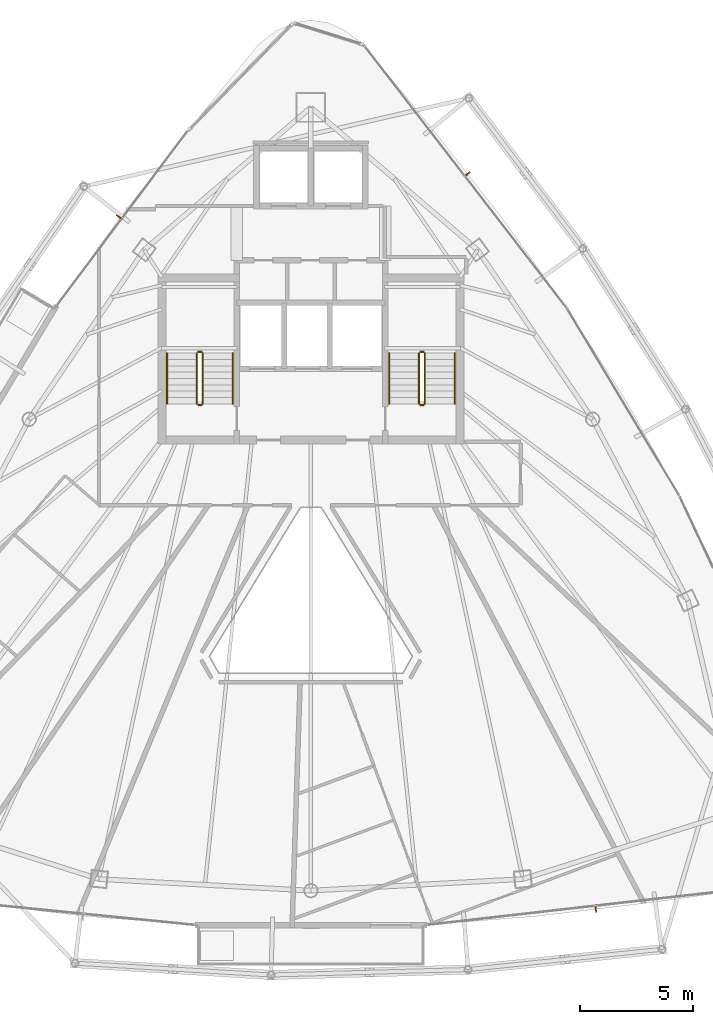
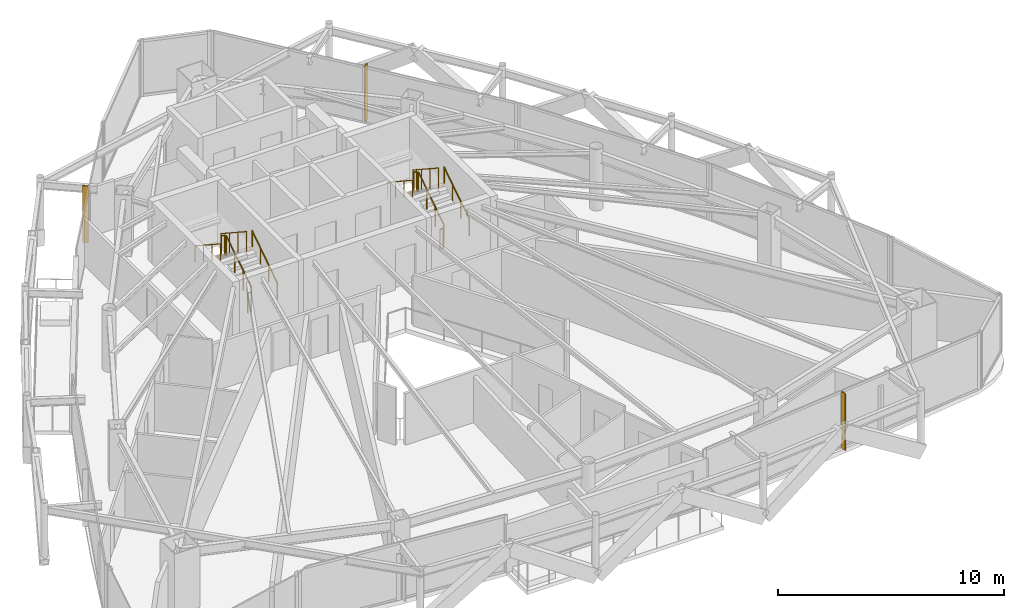
# One storey, part 30 of 30: 12 railings, 3 shading devices.
"""IFC4 building model written with IfcOpenShell, lengths in metres."""

from ifc_helpers import new_model, si_unit, direction, frame, origin, origin_2d, place, context, subcontext, project, spatial, rectangle, circle, extrude, material, layer, layer_set, type_object, element, save


model = new_model("IFC4")

# Units and contexts
model_context = context("Model", 3, precision=1e-05, world=origin(), true_north=direction((0.0, 1.0)))
body_context = subcontext(model_context, "Body", "Model", "MODEL_VIEW")
ifc_project = project(units=[si_unit("LENGTHUNIT", "METRE"), si_unit("AREAUNIT", "SQUARE_METRE"), si_unit("VOLUMEUNIT", "CUBIC_METRE"), si_unit("PLANEANGLEUNIT", "RADIAN"), si_unit("MASSUNIT", "GRAM", prefix="KILO")], contexts=[model_context])

# Site, building, storey
site_placement = place(None, origin())
site = spatial("IfcSite", under=ifc_project, at=site_placement, CompositionType="ELEMENT")
building_placement = place(site_placement, origin())
building = spatial("IfcBuilding", under=site, at=building_placement, Name="Orvanel Arch Residences", CompositionType="ELEMENT")
storey_placement = place(building_placement, frame((0.0, 0.0, 240.35009765625)))
storey = spatial("IfcBuildingStorey", under=building, at=storey_placement, Name="L68", CompositionType="ELEMENT", Elevation=240.35009765625)

# Shading devices
ifc_material_1 = material(Name="Bronze-anodised aluminium AA6063-T6", Category="aluminium")
ifc_layer = layer(ifc_material_1, 0.050048828125)
ifc_layer_set = layer_set([ifc_layer], Name="Bronze-anodised aluminium AA6063-T6")
shading_device_type = type_object("IfcShadingDeviceType", Name="FIN-BRZ-260", PredefinedType="USERDEFINED", material=ifc_layer_set)
for number, where, z_axis, x_axis, name in (
    (1, (24.52587890625, 36.570068359375, -0.000244140625), (0.0, 0.0, 1.0), (-0.799684658487, 0.600420225326, 0.0), "L68 Anodised Bronze Mullion FIN 01"),
    (2, (45.572998046875, 6.01904296875, -0.000244140625), (0.0, 0.0, 1.0), (0.113203213768, -0.993571855677, 0.0), "L68 Anodised Bronze Mullion FIN 01"),
    (3, (39.919921875, 38.468017578125, -0.000244140625), (0.0, 0.0, 1.0), (0.791223532967, 0.611527040186, 0.0), "L68 Anodised Bronze Mullion FIN 01"),
):
    element("IfcShadingDevice", number, at=place(storey_placement, frame(where, z_axis=z_axis, x_axis=x_axis)), inside=storey, type_object=shading_device_type, Name=name, ObjectType="FIN", PredefinedType="USERDEFINED", context=body_context, shape_type="SweptSolid", body=[
        extrude(rectangle(XDim=0.260009765625, YDim=0.050048828125, at=origin_2d()), origin(), (0.0, 0.0, 1.0), 3.06005859375),
    ])

# Railings
ifc_material_2 = material(Name="Structural steel AS/NZS 1163 C350L0 (Grade 350)", Category="steel")
railing_type_1 = type_object("IfcRailingType", Name="RL-STAIR-GUARD", PredefinedType="GUARDRAIL", material=ifc_material_2)
railing_1_placement = place(storey_placement, frame((28.22998046875, 28.320068359375, 0.183349609375)))
element("IfcRailing", 4, at=railing_1_placement, inside=storey, type_object=railing_type_1, Name="L68 ST-1 stair guard 1", PredefinedType="GUARDRAIL", context=body_context, shape_type="SweptSolid", body=[
    extrude(circle(Radius=0.02392578125, at=origin_2d()), frame((0.0, 0.001220703125, 1.076904296875), z_axis=(0.0, 0.836636935527, 0.547757827979), x_axis=(-1.0, 0.0, 0.0)), (0.0, 0.0, 1.0), 2.67431640625),
    extrude(circle(Radius=0.02099609375, at=origin_2d()), origin(), (0.0, 0.0, 1.0), 1.050048828125),
    extrude(circle(Radius=0.02099609375, at=origin_2d()), frame((0.0, 0.74658203125, 0.48876953125)), (0.0, 0.0, 1.0), 1.050048828125),
    extrude(circle(Radius=0.02099609375, at=origin_2d()), frame((0.0, 1.493408203125, 0.977783203125)), (0.0, 0.0, 1.0), 1.050048828125),
    extrude(circle(Radius=0.02099609375, at=origin_2d()), frame((0.0, 2.239990234375, 1.466552734375)), (0.0, 0.0, 1.0), 1.050048828125),
])
railing_2_placement = place(storey_placement, frame((28.179931640625, 30.610107421875, 1.64990234375)))
element("IfcRailing", 5, at=railing_2_placement, inside=storey, type_object=railing_type_1, Name="L68 ST-1 stair guard 2", PredefinedType="GUARDRAIL", context=body_context, shape_type="SweptSolid", body=[
    extrude(circle(Radius=0.02392578125, at=origin_2d()), frame((-0.00146484375, 0.0, 1.076171875), z_axis=(-1.0, 0.0, 0.0), x_axis=(0.0, -1.0, 0.0)), (0.0, 0.0, 1.0), 0.156982421875),
    extrude(circle(Radius=0.02099609375, at=origin_2d()), origin(), (0.0, 0.0, 1.0), 1.050048828125),
    extrude(circle(Radius=0.02099609375, at=origin_2d()), frame((-0.159912109375, 0.0, 0.0)), (0.0, 0.0, 1.0), 1.050048828125),
])
railing_3_placement = place(storey_placement, frame((27.969970703125, 30.56005859375, 1.833251953125)))
element("IfcRailing", 6, at=railing_3_placement, inside=storey, type_object=railing_type_1, Name="L68 ST-1 stair guard 3", PredefinedType="GUARDRAIL", context=body_context, shape_type="SweptSolid", body=[
    extrude(circle(Radius=0.02392578125, at=origin_2d()), frame((0.0, -0.001220703125, 1.076904296875), z_axis=(0.0, -0.836636935527, 0.547757827979), x_axis=(1.0, 0.0, 0.0)), (0.0, 0.0, 1.0), 2.67431640625),
    extrude(circle(Radius=0.02099609375, at=origin_2d()), origin(), (0.0, 0.0, 1.0), 1.050048828125),
    extrude(circle(Radius=0.02099609375, at=origin_2d()), frame((0.0, -0.74658203125, 0.48876953125)), (0.0, 0.0, 1.0), 1.050048828125),
    extrude(circle(Radius=0.02099609375, at=origin_2d()), frame((0.0, -1.493408203125, 0.977783203125)), (0.0, 0.0, 1.0), 1.050048828125),
    extrude(circle(Radius=0.02099609375, at=origin_2d()), frame((0.0, -2.239990234375, 1.466552734375)), (0.0, 0.0, 1.0), 1.050048828125),
])
railing_4_placement = place(storey_placement, frame((28.179931640625, 28.27001953125, 0.0)))
element("IfcRailing", 7, at=railing_4_placement, inside=storey, type_object=railing_type_1, Name="L68 ST-1 stair guard 4", PredefinedType="GUARDRAIL", context=body_context, shape_type="SweptSolid", body=[
    extrude(circle(Radius=0.02392578125, at=origin_2d()), frame((-0.00146484375, 0.0, 1.076171875), z_axis=(-1.0, 0.0, 0.0), x_axis=(0.0, -1.0, 0.0)), (0.0, 0.0, 1.0), 0.156982421875),
    extrude(circle(Radius=0.02099609375, at=origin_2d()), origin(), (0.0, 0.0, 1.0), 1.050048828125),
    extrude(circle(Radius=0.02099609375, at=origin_2d()), frame((-0.159912109375, 0.0, 0.0)), (0.0, 0.0, 1.0), 1.050048828125),
])
railing_5_placement = place(storey_placement, frame((38.030029296875, 28.320068359375, 0.183349609375)))
element("IfcRailing", 8, at=railing_5_placement, inside=storey, type_object=railing_type_1, Name="L68 ST-2 stair guard 1", PredefinedType="GUARDRAIL", context=body_context, shape_type="SweptSolid", body=[
    extrude(circle(Radius=0.02392578125, at=origin_2d()), frame((0.0, 0.001220703125, 1.076904296875), z_axis=(0.0, 0.836636935527, 0.547757827979), x_axis=(-1.0, 0.0, 0.0)), (0.0, 0.0, 1.0), 2.67431640625),
    extrude(circle(Radius=0.02099609375, at=origin_2d()), origin(), (0.0, 0.0, 1.0), 1.050048828125),
    extrude(circle(Radius=0.02099609375, at=origin_2d()), frame((0.0, 0.74658203125, 0.48876953125)), (0.0, 0.0, 1.0), 1.050048828125),
    extrude(circle(Radius=0.02099609375, at=origin_2d()), frame((0.0, 1.493408203125, 0.977783203125)), (0.0, 0.0, 1.0), 1.050048828125),
    extrude(circle(Radius=0.02099609375, at=origin_2d()), frame((0.0, 2.239990234375, 1.466552734375)), (0.0, 0.0, 1.0), 1.050048828125),
])
railing_6_placement = place(storey_placement, frame((37.97998046875, 30.610107421875, 1.64990234375)))
element("IfcRailing", 9, at=railing_6_placement, inside=storey, type_object=railing_type_1, Name="L68 ST-2 stair guard 2", PredefinedType="GUARDRAIL", context=body_context, shape_type="SweptSolid", body=[
    extrude(circle(Radius=0.02392578125, at=origin_2d()), frame((-0.00146484375, 0.0, 1.076171875), z_axis=(-1.0, 0.0, 0.0), x_axis=(0.0, -1.0, 0.0)), (0.0, 0.0, 1.0), 0.156982421875),
    extrude(circle(Radius=0.02099609375, at=origin_2d()), origin(), (0.0, 0.0, 1.0), 1.050048828125),
    extrude(circle(Radius=0.02099609375, at=origin_2d()), frame((-0.159912109375, 0.0, 0.0)), (0.0, 0.0, 1.0), 1.050048828125),
])
railing_7_placement = place(storey_placement, frame((37.77001953125, 30.56005859375, 1.833251953125)))
element("IfcRailing", 10, at=railing_7_placement, inside=storey, type_object=railing_type_1, Name="L68 ST-2 stair guard 3", PredefinedType="GUARDRAIL", context=body_context, shape_type="SweptSolid", body=[
    extrude(circle(Radius=0.02392578125, at=origin_2d()), frame((0.0, -0.001220703125, 1.076904296875), z_axis=(0.0, -0.836636935527, 0.547757827979), x_axis=(1.0, 0.0, 0.0)), (0.0, 0.0, 1.0), 2.67431640625),
    extrude(circle(Radius=0.02099609375, at=origin_2d()), origin(), (0.0, 0.0, 1.0), 1.050048828125),
    extrude(circle(Radius=0.02099609375, at=origin_2d()), frame((0.0, -0.74658203125, 0.48876953125)), (0.0, 0.0, 1.0), 1.050048828125),
    extrude(circle(Radius=0.02099609375, at=origin_2d()), frame((0.0, -1.493408203125, 0.977783203125)), (0.0, 0.0, 1.0), 1.050048828125),
    extrude(circle(Radius=0.02099609375, at=origin_2d()), frame((0.0, -2.239990234375, 1.466552734375)), (0.0, 0.0, 1.0), 1.050048828125),
])
railing_8_placement = place(storey_placement, frame((37.97998046875, 28.27001953125, 0.0)))
element("IfcRailing", 11, at=railing_8_placement, inside=storey, type_object=railing_type_1, Name="L68 ST-2 stair guard 4", PredefinedType="GUARDRAIL", context=body_context, shape_type="SweptSolid", body=[
    extrude(circle(Radius=0.02392578125, at=origin_2d()), frame((-0.00146484375, 0.0, 1.076171875), z_axis=(-1.0, 0.0, 0.0), x_axis=(0.0, -1.0, 0.0)), (0.0, 0.0, 1.0), 0.156982421875),
    extrude(circle(Radius=0.02099609375, at=origin_2d()), origin(), (0.0, 0.0, 1.0), 1.050048828125),
    extrude(circle(Radius=0.02099609375, at=origin_2d()), frame((-0.159912109375, 0.0, 0.0)), (0.0, 0.0, 1.0), 1.050048828125),
])
railing_type_2 = type_object("IfcRailingType", Name="RL-STAIR-HAND", PredefinedType="HANDRAIL", material=ifc_material_2)
railing_9_placement = place(storey_placement, frame((29.550048828125, 28.320068359375, 0.183349609375)))
element("IfcRailing", 12, at=railing_9_placement, inside=storey, type_object=railing_type_2, Name="L68 ST-1 stair handrail 1", PredefinedType="HANDRAIL", context=body_context, shape_type="SweptSolid", body=[
    extrude(circle(Radius=0.02392578125, at=origin_2d()), frame((0.0, 0.001220703125, 0.876708984375), z_axis=(0.0, 0.836636935527, 0.547757827979), x_axis=(-1.0, 0.0, 0.0)), (0.0, 0.0, 1.0), 2.67431640625),
    extrude(circle(Radius=0.02099609375, at=origin_2d()), origin(), (0.0, 0.0, 1.0), 0.849853515625),
    extrude(circle(Radius=0.02099609375, at=origin_2d()), frame((0.0, 0.74658203125, 0.48876953125)), (0.0, 0.0, 1.0), 0.849853515625),
    extrude(circle(Radius=0.02099609375, at=origin_2d()), frame((0.0, 1.493408203125, 0.977783203125)), (0.0, 0.0, 1.0), 0.849853515625),
    extrude(circle(Radius=0.02099609375, at=origin_2d()), frame((0.0, 2.239990234375, 1.466552734375)), (0.0, 0.0, 1.0), 0.849853515625),
])
railing_10_placement = place(storey_placement, frame((26.64990234375, 30.56005859375, 1.833251953125)))
element("IfcRailing", 13, at=railing_10_placement, inside=storey, type_object=railing_type_2, Name="L68 ST-1 stair handrail 2", PredefinedType="HANDRAIL", context=body_context, shape_type="SweptSolid", body=[
    extrude(circle(Radius=0.02392578125, at=origin_2d()), frame((0.0, -0.001220703125, 0.876708984375), z_axis=(0.0, -0.836636935527, 0.547757827979), x_axis=(1.0, 0.0, 0.0)), (0.0, 0.0, 1.0), 2.67431640625),
    extrude(circle(Radius=0.02099609375, at=origin_2d()), origin(), (0.0, 0.0, 1.0), 0.849853515625),
    extrude(circle(Radius=0.02099609375, at=origin_2d()), frame((0.0, -0.74658203125, 0.48876953125)), (0.0, 0.0, 1.0), 0.849853515625),
    extrude(circle(Radius=0.02099609375, at=origin_2d()), frame((0.0, -1.493408203125, 0.977783203125)), (0.0, 0.0, 1.0), 0.849853515625),
    extrude(circle(Radius=0.02099609375, at=origin_2d()), frame((0.0, -2.239990234375, 1.466552734375)), (0.0, 0.0, 1.0), 0.849853515625),
])
railing_11_placement = place(storey_placement, frame((39.35009765625, 28.320068359375, 0.183349609375)))
element("IfcRailing", 14, at=railing_11_placement, inside=storey, type_object=railing_type_2, Name="L68 ST-2 stair handrail 1", PredefinedType="HANDRAIL", context=body_context, shape_type="SweptSolid", body=[
    extrude(circle(Radius=0.02392578125, at=origin_2d()), frame((0.0, 0.001220703125, 0.876708984375), z_axis=(0.0, 0.836636935527, 0.547757827979), x_axis=(-1.0, 0.0, 0.0)), (0.0, 0.0, 1.0), 2.67431640625),
    extrude(circle(Radius=0.02099609375, at=origin_2d()), origin(), (0.0, 0.0, 1.0), 0.849853515625),
    extrude(circle(Radius=0.02099609375, at=origin_2d()), frame((0.0, 0.74658203125, 0.48876953125)), (0.0, 0.0, 1.0), 0.849853515625),
    extrude(circle(Radius=0.02099609375, at=origin_2d()), frame((0.0, 1.493408203125, 0.977783203125)), (0.0, 0.0, 1.0), 0.849853515625),
    extrude(circle(Radius=0.02099609375, at=origin_2d()), frame((0.0, 2.239990234375, 1.466552734375)), (0.0, 0.0, 1.0), 0.849853515625),
])
railing_12_placement = place(storey_placement, frame((36.449951171875, 30.56005859375, 1.833251953125)))
element("IfcRailing", 15, at=railing_12_placement, inside=storey, type_object=railing_type_2, Name="L68 ST-2 stair handrail 2", PredefinedType="HANDRAIL", context=body_context, shape_type="SweptSolid", body=[
    extrude(circle(Radius=0.02392578125, at=origin_2d()), frame((0.0, -0.001220703125, 0.876708984375), z_axis=(0.0, -0.836636935527, 0.547757827979), x_axis=(1.0, 0.0, 0.0)), (0.0, 0.0, 1.0), 2.67431640625),
    extrude(circle(Radius=0.02099609375, at=origin_2d()), origin(), (0.0, 0.0, 1.0), 0.849853515625),
    extrude(circle(Radius=0.02099609375, at=origin_2d()), frame((0.0, -0.74658203125, 0.48876953125)), (0.0, 0.0, 1.0), 0.849853515625),
    extrude(circle(Radius=0.02099609375, at=origin_2d()), frame((0.0, -1.493408203125, 0.977783203125)), (0.0, 0.0, 1.0), 0.849853515625),
    extrude(circle(Radius=0.02099609375, at=origin_2d()), frame((0.0, -2.239990234375, 1.466552734375)), (0.0, 0.0, 1.0), 0.849853515625),
])

save(model, "model.ifc")
